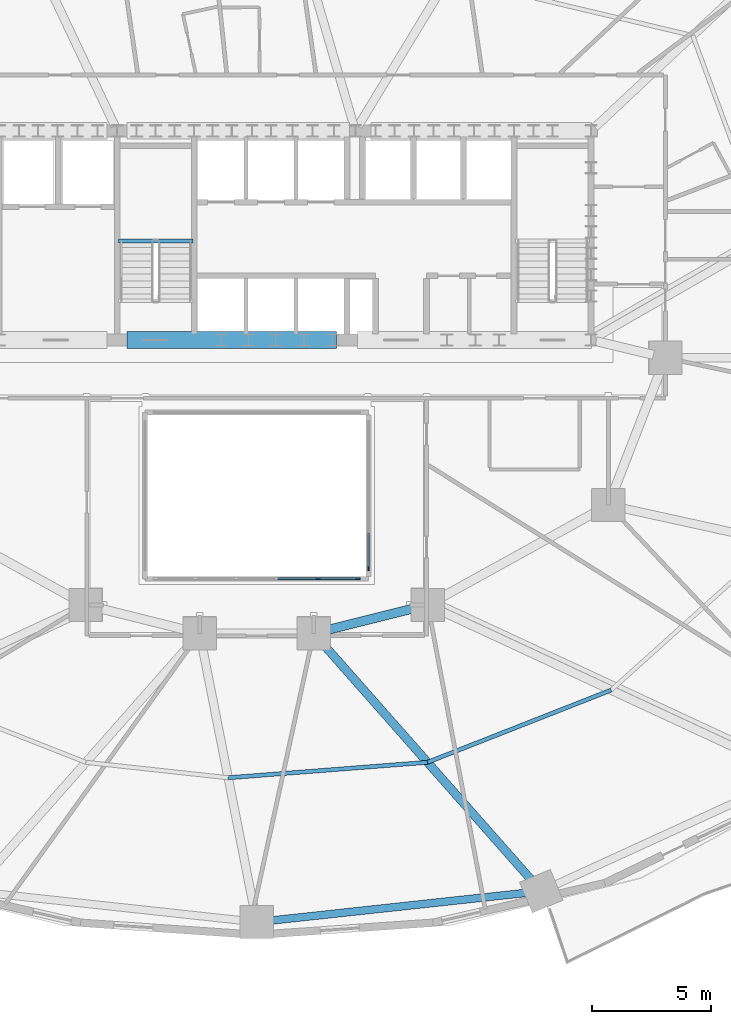
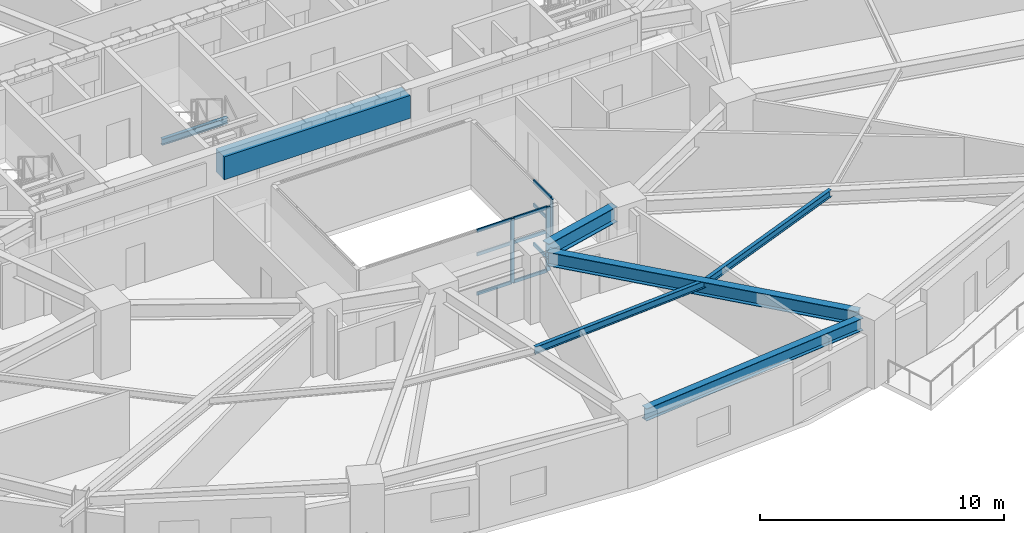
# One storey, part 5 of 17: 12 members, 7 beams, 2 elements without a shape of their own.
"""IFC4 building model written with IfcOpenShell, lengths in metres."""

from ifc_helpers import new_model, si_unit, direction, frame, origin, origin_2d, place, context, subcontext, project, spatial, rectangle, i_section, extrude, material, material_profile, profile_set, type_object, element, aggregate, save


model = new_model("IFC4")

# Units and contexts
model_context = context("Model", 3, precision=1e-05, world=origin(), true_north=direction((0.0, 1.0)))
body_context = subcontext(model_context, "Body", "Model", "MODEL_VIEW")
ifc_project = project(units=[si_unit("LENGTHUNIT", "METRE"), si_unit("AREAUNIT", "SQUARE_METRE"), si_unit("VOLUMEUNIT", "CUBIC_METRE"), si_unit("PLANEANGLEUNIT", "RADIAN"), si_unit("MASSUNIT", "GRAM", prefix="KILO")], contexts=[model_context])

# Site, building, storey
site_placement = place(None, origin())
site = spatial("IfcSite", under=ifc_project, at=site_placement, CompositionType="ELEMENT")
building_placement = place(site_placement, origin())
building = spatial("IfcBuilding", under=site, at=building_placement, Name="Haldorwick Loom Tower", CompositionType="ELEMENT")
storey_placement = place(building_placement, frame((0.0, 0.0, 27.449951171875)))
storey = spatial("IfcBuildingStorey", under=building, at=storey_placement, Name="L06", CompositionType="ELEMENT", Elevation=27.449951171875)

# Curtain wall, members
ifc_material_1 = material(Name="Thermally Broken Anodized Aluminium Curtain Wall Framing", Category="aluminium")
curtain_wall_type = type_object("IfcCurtainWallType", Name="ARC-CW-03", PredefinedType="NOTDEFINED", material=ifc_material_1)
curtain_wall_1_placement = place(storey_placement, origin())
curtain_wall_1 = element("IfcCurtainWall", 1, at=curtain_wall_1_placement, inside=storey, type_object=curtain_wall_type, Name="L06 Atrium Glazed Screen S", PredefinedType="NOTDEFINED")
ifc_material_profile_1 = material_profile(ifc_material_1, rectangle(XDim=0.06591796875, YDim=0.18505859375, at=origin_2d()), Name="ALU_MUL_66X185", Category="aluminium")
ifc_profile_set_1 = profile_set([ifc_material_profile_1], Name="Thermally Broken Anodized Aluminium Curtain Wall Framing")
member_type_1 = type_object("IfcMemberType", Name="ARC-CWM-03", PredefinedType="MULLION", material=ifc_profile_set_1)
member_1_placement = place(storey_placement, frame((40.26708984375, 16.699951171875, 0.0), z_axis=(0.0, 0.0, 1.0), x_axis=(0.0, -1.0, 0.0)))
member_1 = element("IfcMember", 2, at=member_1_placement, type_object=member_type_1, Name="CW-03 mullion 1", PredefinedType="MULLION", context=body_context, shape_type="SweptSolid", body=[
    extrude(rectangle(XDim=0.06591796875, YDim=0.18505859375, at=origin_2d()), origin(), (0.0, 0.0, 1.0), 3.2099609375),
])
member_2_placement = place(storey_placement, frame((38.580078125, 16.699951171875, 0.0), z_axis=(0.0, 0.0, 1.0), x_axis=(0.0, -1.0, 0.0)))
member_2 = element("IfcMember", 3, at=member_2_placement, type_object=member_type_1, Name="CW-03 mullion 2", PredefinedType="MULLION", context=body_context, shape_type="SweptSolid", body=[
    extrude(rectangle(XDim=0.06591796875, YDim=0.18505859375, at=origin_2d()), origin(), (0.0, 0.0, 1.0), 3.2099609375),
])

# Curtain wall, member
curtain_wall_2_placement = place(storey_placement, origin())
curtain_wall_2 = element("IfcCurtainWall", 4, at=curtain_wall_2_placement, inside=storey, type_object=curtain_wall_type, Name="L06 Atrium Glazed Screen E", PredefinedType="NOTDEFINED")
member_3_placement = place(storey_placement, frame((40.699951171875, 17.133056640625, 0.0), z_axis=(0.0, 0.0, 1.0), x_axis=(1.0, 0.0, 0.0)))
member_3 = element("IfcMember", 5, at=member_3_placement, type_object=member_type_1, Name="CW-03 mullion 5", PredefinedType="MULLION", context=body_context, shape_type="SweptSolid", body=[
    extrude(rectangle(XDim=0.06591796875, YDim=0.18505859375, at=origin_2d()), origin(), (0.0, 0.0, 1.0), 3.2099609375),
])

# Member
ifc_material_profile_2 = material_profile(ifc_material_1, rectangle(XDim=0.06591796875, YDim=0.1650390625, at=origin_2d()), Name="ALU_TRN_66X165", Category="aluminium")
ifc_profile_set_2 = profile_set([ifc_material_profile_2], Name="Thermally Broken Anodized Aluminium Curtain Wall Framing")
member_type_2 = type_object("IfcMemberType", Name="ARC-CWT-03", PredefinedType="USERDEFINED", material=ifc_profile_set_2)
member_4_placement = place(storey_placement, frame((40.23388671875, 16.699951171875, 0.032958984375), z_axis=(-1.0, 0.0, 0.0), x_axis=(0.0, -1.0, 0.0)))
member_4 = element("IfcMember", 6, at=member_4_placement, type_object=member_type_2, Name="CW-03 transom 1.1", ObjectType="TRANSOM", PredefinedType="USERDEFINED", context=body_context, shape_type="SweptSolid", body=[
    extrude(rectangle(XDim=0.06591796875, YDim=0.1650390625, at=origin_2d()), origin(), (0.0, 0.0, 1.0), 1.620849609375),
])

member_5_placement = place(storey_placement, frame((40.23388671875, 16.699951171875, 2.0), z_axis=(-1.0, 0.0, 0.0), x_axis=(0.0, -1.0, 0.0)))
member_5 = element("IfcMember", 7, at=member_5_placement, type_object=member_type_2, Name="CW-03 transom 1.2", ObjectType="TRANSOM", PredefinedType="USERDEFINED", context=body_context, shape_type="SweptSolid", body=[
    extrude(rectangle(XDim=0.06591796875, YDim=0.1650390625, at=origin_2d()), origin(), (0.0, 0.0, 1.0), 1.620849609375),
])

member_6_placement = place(storey_placement, frame((40.23388671875, 16.699951171875, 3.177001953125), z_axis=(-1.0, 0.0, 0.0), x_axis=(0.0, -1.0, 0.0)))
member_6 = element("IfcMember", 8, at=member_6_placement, type_object=member_type_2, Name="CW-03 transom 1.3", ObjectType="TRANSOM", PredefinedType="USERDEFINED", context=body_context, shape_type="SweptSolid", body=[
    extrude(rectangle(XDim=0.06591796875, YDim=0.1650390625, at=origin_2d()), origin(), (0.0, 0.0, 1.0), 1.620849609375),
])

member_7_placement = place(storey_placement, frame((38.547119140625, 16.699951171875, 0.032958984375), z_axis=(-1.0, 0.0, 0.0), x_axis=(0.0, -1.0, 0.0)))
member_7 = element("IfcMember", 9, at=member_7_placement, type_object=member_type_2, Name="CW-03 transom 2.1", ObjectType="TRANSOM", PredefinedType="USERDEFINED", context=body_context, shape_type="SweptSolid", body=[
    extrude(rectangle(XDim=0.06591796875, YDim=0.1650390625, at=origin_2d()), origin(), (0.0, 0.0, 1.0), 1.654052734375),
])

member_8_placement = place(storey_placement, frame((38.547119140625, 16.699951171875, 2.0), z_axis=(-1.0, 0.0, 0.0), x_axis=(0.0, -1.0, 0.0)))
member_8 = element("IfcMember", 10, at=member_8_placement, type_object=member_type_2, Name="CW-03 transom 2.2", ObjectType="TRANSOM", PredefinedType="USERDEFINED", context=body_context, shape_type="SweptSolid", body=[
    extrude(rectangle(XDim=0.06591796875, YDim=0.1650390625, at=origin_2d()), origin(), (0.0, 0.0, 1.0), 1.654052734375),
])

member_9_placement = place(storey_placement, frame((38.547119140625, 16.699951171875, 3.177001953125), z_axis=(-1.0, 0.0, 0.0), x_axis=(0.0, -1.0, 0.0)))
member_9 = element("IfcMember", 11, at=member_9_placement, type_object=member_type_2, Name="CW-03 transom 2.3", ObjectType="TRANSOM", PredefinedType="USERDEFINED", context=body_context, shape_type="SweptSolid", body=[
    extrude(rectangle(XDim=0.06591796875, YDim=0.1650390625, at=origin_2d()), origin(), (0.0, 0.0, 1.0), 1.654052734375),
])

aggregate(curtain_wall_1, [member_1, member_2, member_4, member_5, member_6, member_7, member_8, member_9])

member_10_placement = place(storey_placement, frame((40.699951171875, 18.616943359375, 0.032958984375), z_axis=(0.0, -1.0, 0.0), x_axis=(1.0, 0.0, 0.0)))
member_10 = element("IfcMember", 12, at=member_10_placement, type_object=member_type_2, Name="CW-03 transom 4.1", ObjectType="TRANSOM", PredefinedType="USERDEFINED", context=body_context, shape_type="SweptSolid", body=[
    extrude(rectangle(XDim=0.06591796875, YDim=0.1650390625, at=origin_2d()), origin(), (0.0, 0.0, 1.0), 1.450927734375),
])

member_11_placement = place(storey_placement, frame((40.699951171875, 18.616943359375, 2.0), z_axis=(0.0, -1.0, 0.0), x_axis=(1.0, 0.0, 0.0)))
member_11 = element("IfcMember", 13, at=member_11_placement, type_object=member_type_2, Name="CW-03 transom 4.2", ObjectType="TRANSOM", PredefinedType="USERDEFINED", context=body_context, shape_type="SweptSolid", body=[
    extrude(rectangle(XDim=0.06591796875, YDim=0.1650390625, at=origin_2d()), origin(), (0.0, 0.0, 1.0), 1.450927734375),
])

member_12_placement = place(storey_placement, frame((40.699951171875, 18.616943359375, 3.177001953125), z_axis=(0.0, -1.0, 0.0), x_axis=(1.0, 0.0, 0.0)))
member_12 = element("IfcMember", 14, at=member_12_placement, type_object=member_type_2, Name="CW-03 transom 4.3", ObjectType="TRANSOM", PredefinedType="USERDEFINED", context=body_context, shape_type="SweptSolid", body=[
    extrude(rectangle(XDim=0.06591796875, YDim=0.1650390625, at=origin_2d()), origin(), (0.0, 0.0, 1.0), 1.450927734375),
])

aggregate(curtain_wall_2, [member_3, member_10, member_11, member_12])

# Beams
ifc_material_2 = material(Name="Concrete C60 (60 MPa)", Category="concrete")
ifc_material_profile_3 = material_profile(ifc_material_2, rectangle(XDim=0.699951171875, YDim=1.14990234375, at=origin_2d()), Name="RC700X1150", Category="concrete")
ifc_profile_set_3 = profile_set([ifc_material_profile_3], Name="Concrete C60 (60 MPa)")
beam_type_1 = type_object("IfcBeamType", Name="STR-BM-CB1150", PredefinedType="LINTEL", material=ifc_profile_set_3)
beam_1_placement = place(storey_placement, frame((30.550048828125, 26.75, 2.635009765625), z_axis=(1.0, 0.0, 0.0), x_axis=(0.0, 1.0, 0.0)))
element("IfcBeam", 15, at=beam_1_placement, inside=storey, type_object=beam_type_1, Name="L06 Core Coupling Beam CB-S2", PredefinedType="LINTEL", context=body_context, shape_type="SweptSolid", body=[
    extrude(rectangle(XDim=0.699951171875, YDim=1.14990234375, at=origin_2d()), origin(), (0.0, 0.0, 1.0), 8.800048828125),
])
ifc_material_3 = material(Name="Steel CSA G40.21 350W", Category="steel")
ifc_material_profile_4 = material_profile(ifc_material_3, i_section(OverallWidth=0.172119140625, OverallDepth=0.35791015625, WebThickness=0.0078125, FlangeThickness=0.01318359375, at=origin_2d()), Name="W360X57", Category="steel")
ifc_profile_set_4 = profile_set([ifc_material_profile_4], Name="Steel CSA G40.21 350W")
beam_type_2 = type_object("IfcBeamType", Name="STR-BM-J360", PredefinedType="JOIST", material=ifc_profile_set_4)
beam_2_placement = place(storey_placement, frame((34.800048828125, 8.324951171875, 3.031005859375), z_axis=(0.99701252039, 0.077240107368, 0.0), x_axis=(-0.077240107368, 0.99701252039, 0.0)))
element("IfcBeam", 16, at=beam_2_placement, inside=storey, type_object=beam_type_2, Name="L06 Mid-Bay Secondary Joist 13", PredefinedType="JOIST", context=body_context, shape_type="SweptSolid", body=[
    extrude(i_section(OverallWidth=0.172119140625, OverallDepth=0.35791015625, WebThickness=0.0078125, FlangeThickness=0.01318359375, at=origin_2d()), origin(), (0.0, 0.0, 1.0), 8.4140625),
])
beam_3_placement = place(storey_placement, frame((43.18896484375, 8.974853515625, 3.031005859375), z_axis=(0.930584838237, 0.366076301941, 0.0), x_axis=(-0.366076301941, 0.930584838237, 0.0)))
element("IfcBeam", 17, at=beam_3_placement, inside=storey, type_object=beam_type_2, Name="L06 Mid-Bay Secondary Joist 14", PredefinedType="JOIST", context=body_context, shape_type="SweptSolid", body=[
    extrude(i_section(OverallWidth=0.172119140625, OverallDepth=0.35791015625, WebThickness=0.0078125, FlangeThickness=0.01318359375, at=origin_2d()), origin(), (0.0, 0.0, 1.0), 8.302490234375),
])
ifc_material_profile_5 = material_profile(ifc_material_3, i_section(OverallWidth=0.324951171875, OverallDepth=0.615966796875, WebThickness=0.013916015625, FlangeThickness=0.021484375, at=origin_2d()), Name="W610X174", Category="steel")
ifc_profile_set_5 = profile_set([ifc_material_profile_5], Name="Steel CSA G40.21 350W")
beam_type_3 = type_object("IfcBeamType", Name="STR-BM-SP610", PredefinedType="SPANDREL", material=ifc_profile_set_5)
beam_4_placement = place(storey_placement, frame((36.51708984375, 2.30615234375, 2.902099609375), z_axis=(0.994164438636, 0.107875247167, 0.0), x_axis=(-0.107875247167, 0.994164438636, 0.0)))
element("IfcBeam", 18, at=beam_4_placement, inside=storey, type_object=beam_type_3, Name="L06 Perimeter Spandrel 13", PredefinedType="SPANDREL", context=body_context, shape_type="SweptSolid", body=[
    extrude(i_section(OverallWidth=0.324951171875, OverallDepth=0.615966796875, WebThickness=0.013916015625, FlangeThickness=0.021484375, at=origin_2d()), origin(), (0.0, 0.0, 1.0), 11.008056640625),
])
ifc_material_profile_6 = material_profile(ifc_material_3, i_section(OverallWidth=0.166015625, OverallDepth=0.31298828125, WebThickness=0.006591796875, FlangeThickness=0.01123046875, at=origin_2d()), Name="W310X45", Category="steel")
ifc_profile_set_6 = profile_set([ifc_material_profile_6], Name="Steel CSA G40.21 350W")
beam_type_4 = type_object("IfcBeamType", Name="STR-BM-STRM", PredefinedType="BEAM", material=ifc_profile_set_6)
beam_5_placement = place(storey_placement, frame((30.18994140625, 30.919921875, 1.36865234375), z_axis=(1.0, 0.0, 0.0), x_axis=(0.0, 1.0, 0.0)))
element("IfcBeam", 19, at=beam_5_placement, inside=storey, type_object=beam_type_4, Name="L06 Stair ST-03 Half-Landing Trimmer 1", PredefinedType="BEAM", context=body_context, shape_type="SweptSolid", body=[
    extrude(i_section(OverallWidth=0.166015625, OverallDepth=0.31298828125, WebThickness=0.006591796875, FlangeThickness=0.01123046875, at=origin_2d()), origin(), (0.0, 0.0, 1.0), 3.1201171875),
])
ifc_material_profile_7 = material_profile(ifc_material_3, i_section(OverallWidth=0.35498046875, OverallDepth=0.695068359375, WebThickness=0.015380859375, FlangeThickness=0.02490234375, at=origin_2d()), Name="W690X217", Category="steel")
ifc_profile_set_7 = profile_set([ifc_material_profile_7], Name="Steel CSA G40.21 350W")
beam_type_5 = type_object("IfcBeamType", Name="STR-BM-W690", PredefinedType="BEAM", material=ifc_profile_set_7)
beam_6_placement = place(storey_placement, frame((38.744140625, 14.01025390625, 2.862548828125), z_axis=(0.661774304332, -0.749703121326, 0.0), x_axis=(0.749703121326, 0.661774304332, 0.0)))
element("IfcBeam", 20, at=beam_6_placement, inside=storey, type_object=beam_type_5, Name="L06 Radial Floor Girder 14", PredefinedType="BEAM", context=body_context, shape_type="SweptSolid", body=[
    extrude(i_section(OverallWidth=0.35498046875, OverallDepth=0.695068359375, WebThickness=0.015380859375, FlangeThickness=0.02490234375, at=origin_2d()), origin(), (0.0, 0.0, 1.0), 13.43310546875),
])
ifc_material_profile_8 = material_profile(ifc_material_3, i_section(OverallWidth=0.381103515625, OverallDepth=0.77294921875, WebThickness=0.0166015625, FlangeThickness=0.027587890625, at=origin_2d()), Name="W760X257", Category="steel")
ifc_profile_set_8 = profile_set([ifc_material_profile_8], Name="Steel CSA G40.21 350W")
beam_type_6 = type_object("IfcBeamType", Name="STR-BM-W760", PredefinedType="BEAM", material=ifc_profile_set_8)
beam_7_placement = place(storey_placement, frame((42.695556640625, 15.473876953125, 2.823486328125), z_axis=(-0.970142500145, -0.242535625036, 0.0), x_axis=(0.242535625036, -0.970142500145, 0.0)))
element("IfcBeam", 21, at=beam_7_placement, inside=storey, type_object=beam_type_6, Name="L06 Inner Ring Girder 4", PredefinedType="BEAM", context=body_context, shape_type="SweptSolid", body=[
    extrude(i_section(OverallWidth=0.381103515625, OverallDepth=0.77294921875, WebThickness=0.0166015625, FlangeThickness=0.027587890625, at=origin_2d()), origin(), (0.0, 0.0, 1.0), 3.90771484375),
])

save(model, "model.ifc")
